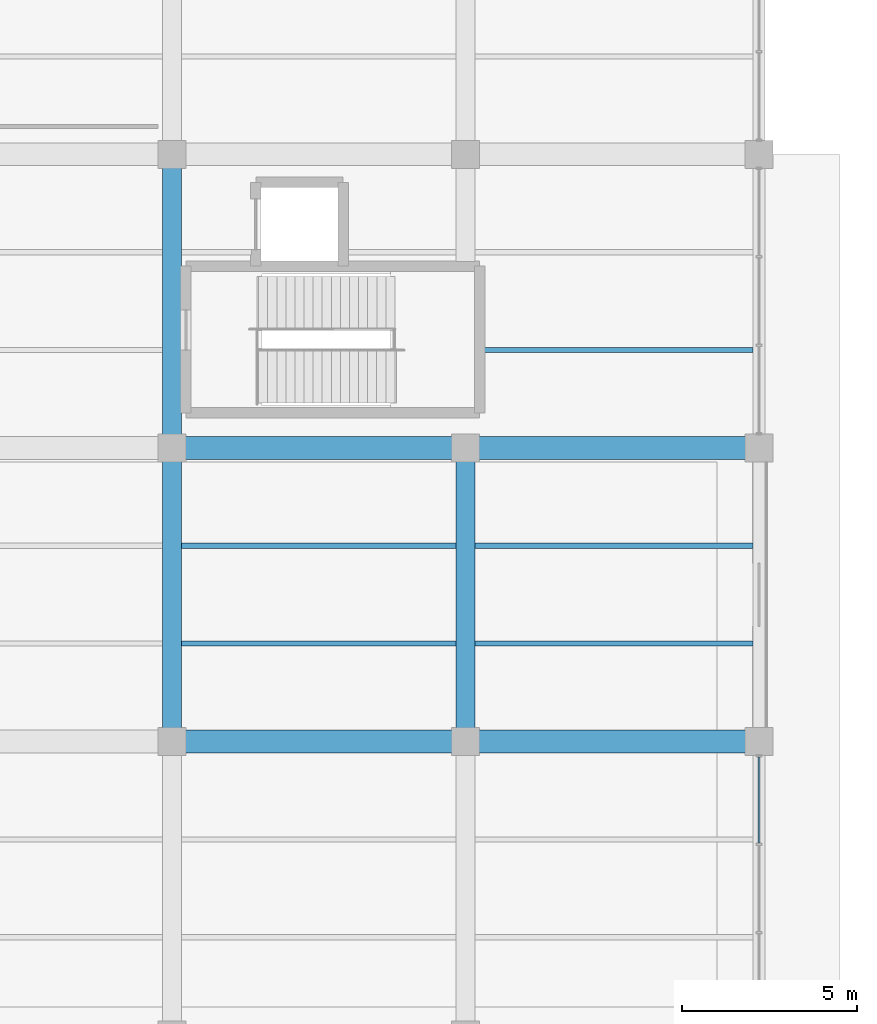
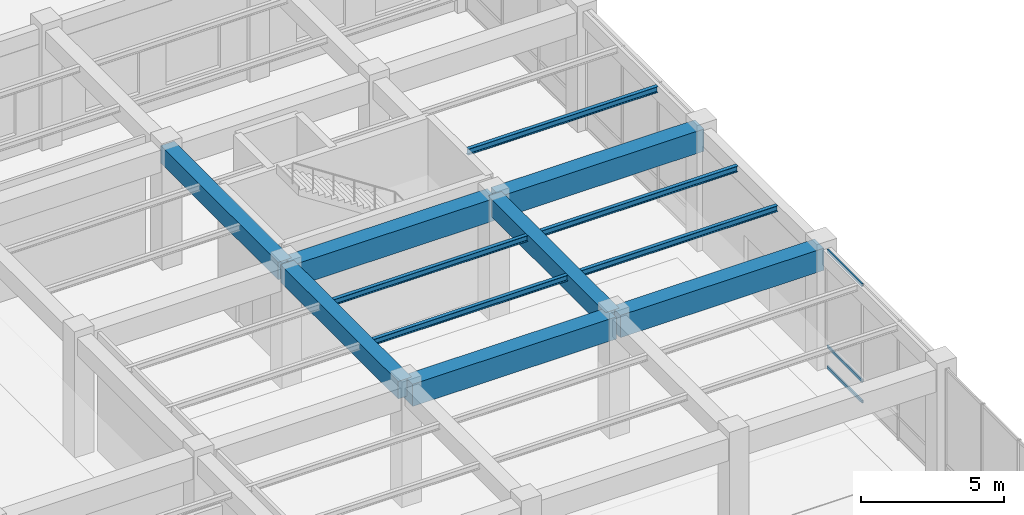
# One storey, part 88 of 157: 12 beams, 3 members, 1 element without a shape of its own.
"""IFC4 building model written with IfcOpenShell, lengths in metres."""

from ifc_helpers import new_model, si_unit, direction, frame, origin, origin_2d, place, context, subcontext, project, spatial, rectangle, hollow_rectangle, i_section, extrude, material, material_profile, profile_set, type_object, element, aggregate, save


model = new_model("IFC4")

# Units and contexts
model_context = context("Model", 3, precision=1e-05, world=origin(), true_north=direction((0.0, 1.0)))
body_context = subcontext(model_context, "Body", "Model", "MODEL_VIEW")
ifc_project = project(units=[si_unit("LENGTHUNIT", "METRE"), si_unit("AREAUNIT", "SQUARE_METRE"), si_unit("VOLUMEUNIT", "CUBIC_METRE"), si_unit("PLANEANGLEUNIT", "RADIAN"), si_unit("MASSUNIT", "GRAM", prefix="KILO"), si_unit("THERMODYNAMICTEMPERATUREUNIT", "KELVIN"), si_unit("POWERUNIT", "WATT")], contexts=[model_context])

# Site, building, storey
site_placement = place(None, origin())
site = spatial("IfcSite", under=ifc_project, at=site_placement, CompositionType="ELEMENT")
building_placement = place(site_placement, origin())
building = spatial("IfcBuilding", under=site, at=building_placement, Name="Darbajah Civic Hall", CompositionType="ELEMENT")
storey_placement = place(building_placement, origin())
storey = spatial("IfcBuildingStorey", under=building, at=storey_placement, Name="L00", CompositionType="ELEMENT", Elevation=0.0)

# Curtain wall, members
ifc_material_1 = material(Name="Anodised Bronze Aluminium and Low-E Glazing", Category="aluminium")
curtain_wall_type = type_object("IfcCurtainWallType", Name="Unitised Curtain Wall CW-17 7600x5100", PredefinedType="USERDEFINED", material=ifc_material_1)
curtain_wall_placement = place(storey_placement, origin())
curtain_wall = element("IfcCurtainWall", 1, at=curtain_wall_placement, inside=storey, type_object=curtain_wall_type, Name="L00 unitised curtain wall CW-V3-L00-S1-B1", ObjectType="UNITISED CURTAIN WALL", PredefinedType="USERDEFINED")
ifc_material_2 = material(Name="Anodised Bronze Aluminium", Category="aluminium")
ifc_material_profile_1 = material_profile(ifc_material_2, hollow_rectangle(XDim=0.06005859375, YDim=0.1201171875, WallThickness=0.003173828125, at=origin_2d()), Name="ALU TRANSOM 60x120")
ifc_profile_set_1 = profile_set([ifc_material_profile_1], Name="Anodised Bronze Aluminium")
member_type = type_object("IfcMemberType", Name="ALU TRANSOM 60x120", PredefinedType="USERDEFINED", material=ifc_profile_set_1)
member_1_placement = place(storey_placement, frame((178.199951171875, 13.90087890625, 0.06005859375), z_axis=(0.0, 1.0, 0.0), x_axis=(-1.0, 0.0, 0.0)))
member_1 = element("IfcMember", 2, at=member_1_placement, type_object=member_type, Name="CW-V3-L00-S1-B1 transom 3.1", ObjectType="TRANSOM", PredefinedType="USERDEFINED", context=body_context, shape_type="SweptSolid", body=[
    extrude(hollow_rectangle(XDim=0.06005859375, YDim=0.1201171875, WallThickness=0.003173828125, at=origin_2d()), origin(), (0.0, 0.0, 1.0), 2.462158203125),
])
member_2_placement = place(storey_placement, frame((178.199951171875, 13.90087890625, 0.949951171875), z_axis=(0.0, 1.0, 0.0), x_axis=(-1.0, 0.0, 0.0)))
member_2 = element("IfcMember", 3, at=member_2_placement, type_object=member_type, Name="CW-V3-L00-S1-B1 transom 3.2", ObjectType="TRANSOM", PredefinedType="USERDEFINED", context=body_context, shape_type="SweptSolid", body=[
    extrude(hollow_rectangle(XDim=0.06005859375, YDim=0.1201171875, WallThickness=0.003173828125, at=origin_2d()), origin(), (0.0, 0.0, 1.0), 2.462158203125),
])
member_3_placement = place(storey_placement, frame((178.199951171875, 13.90087890625, 5.0400390625), z_axis=(0.0, 1.0, 0.0), x_axis=(-1.0, 0.0, 0.0)))
member_3 = element("IfcMember", 4, at=member_3_placement, type_object=member_type, Name="CW-V3-L00-S1-B1 transom 3.3", ObjectType="TRANSOM", PredefinedType="USERDEFINED", context=body_context, shape_type="SweptSolid", body=[
    extrude(hollow_rectangle(XDim=0.06005859375, YDim=0.1201171875, WallThickness=0.003173828125, at=origin_2d()), origin(), (0.0, 0.0, 1.0), 2.462158203125),
])
aggregate(curtain_wall, [member_1, member_2, member_3])

# Beams
ifc_material_3 = material(Name="Concrete C45/55", Category="concrete")
ifc_material_profile_2 = material_profile(ifc_material_3, rectangle(XDim=0.550048828125, YDim=0.75, at=origin_2d()), Name="RC BEAM 550x750")
ifc_profile_set_2 = profile_set([ifc_material_profile_2], Name="Concrete C45/55")
beam_type_1 = type_object("IfcBeamType", Name="RC BEAM 550x750", PredefinedType="BEAM", material=ifc_profile_set_2)
beam_1_placement = place(storey_placement, frame((161.39990234375, 16.8798828125, 4.72509765625), z_axis=(0.0, 1.0, 0.0), x_axis=(-1.0, 0.0, 0.0)))
element("IfcBeam", 5, at=beam_1_placement, inside=storey, type_object=beam_type_1, Name="L00 beam BM-5575", PredefinedType="BEAM", context=body_context, shape_type="SweptSolid", body=[
    extrude(rectangle(XDim=0.550048828125, YDim=0.75, at=origin_2d()), origin(), (0.0, 0.0, 1.0), 8.240234375),
])
beam_2_placement = place(storey_placement, frame((161.39990234375, 25.280029296875, 4.72509765625), z_axis=(0.0, 1.0, 0.0), x_axis=(-1.0, 0.0, 0.0)))
element("IfcBeam", 6, at=beam_2_placement, inside=storey, type_object=beam_type_1, Name="L00 beam BM-5575", PredefinedType="BEAM", context=body_context, shape_type="SweptSolid", body=[
    extrude(rectangle(XDim=0.550048828125, YDim=0.75, at=origin_2d()), origin(), (0.0, 0.0, 1.0), 8.239990234375),
])
beam_3_placement = place(storey_placement, frame((169.800048828125, 16.8798828125, 4.72509765625), z_axis=(0.0, 1.0, 0.0), x_axis=(-1.0, 0.0, 0.0)))
element("IfcBeam", 7, at=beam_3_placement, inside=storey, type_object=beam_type_1, Name="L00 beam BM-5575", PredefinedType="BEAM", context=body_context, shape_type="SweptSolid", body=[
    extrude(rectangle(XDim=0.550048828125, YDim=0.75, at=origin_2d()), origin(), (0.0, 0.0, 1.0), 8.240234375),
])
ifc_material_4 = material(Name="Concrete C50/60", Category="concrete")
ifc_material_profile_3 = material_profile(ifc_material_4, rectangle(XDim=0.64990234375, YDim=0.949951171875, at=origin_2d()), Name="RC GIRDER 650x950")
ifc_profile_set_3 = profile_set([ifc_material_profile_3], Name="Concrete C50/60")
beam_type_2 = type_object("IfcBeamType", Name="RC GIRDER 650x950", PredefinedType="BEAM", material=ifc_profile_set_3)
beam_4_placement = place(storey_placement, frame((161.47998046875, 16.800048828125, 4.625), z_axis=(1.0, 0.0, 0.0), x_axis=(0.0, 1.0, 0.0)))
element("IfcBeam", 8, at=beam_4_placement, inside=storey, type_object=beam_type_2, Name="L00 beam BG-6595", PredefinedType="BEAM", context=body_context, shape_type="SweptSolid", body=[
    extrude(rectangle(XDim=0.64990234375, YDim=0.949951171875, at=origin_2d()), origin(), (0.0, 0.0, 1.0), 8.239990234375),
])
beam_5_placement = place(storey_placement, frame((169.8798828125, 16.800048828125, 4.625), z_axis=(1.0, 0.0, 0.0), x_axis=(0.0, 1.0, 0.0)))
element("IfcBeam", 9, at=beam_5_placement, inside=storey, type_object=beam_type_2, Name="L00 beam BG-6595", PredefinedType="BEAM", context=body_context, shape_type="SweptSolid", body=[
    extrude(rectangle(XDim=0.64990234375, YDim=0.949951171875, at=origin_2d()), origin(), (0.0, 0.0, 1.0), 8.240234375),
])
beam_6_placement = place(storey_placement, frame((161.47998046875, 25.199951171875, 4.625), z_axis=(1.0, 0.0, 0.0), x_axis=(0.0, 1.0, 0.0)))
element("IfcBeam", 10, at=beam_6_placement, inside=storey, type_object=beam_type_2, Name="L00 beam BG-6595", PredefinedType="BEAM", context=body_context, shape_type="SweptSolid", body=[
    extrude(rectangle(XDim=0.64990234375, YDim=0.949951171875, at=origin_2d()), origin(), (0.0, 0.0, 1.0), 8.239990234375),
])
beam_7_placement = place(storey_placement, frame((169.8798828125, 25.199951171875, 4.625), z_axis=(1.0, 0.0, 0.0), x_axis=(0.0, 1.0, 0.0)))
element("IfcBeam", 11, at=beam_7_placement, inside=storey, type_object=beam_type_2, Name="L00 beam BG-6595", PredefinedType="BEAM", context=body_context, shape_type="SweptSolid", body=[
    extrude(rectangle(XDim=0.64990234375, YDim=0.949951171875, at=origin_2d()), origin(), (0.0, 0.0, 1.0), 8.240234375),
])
ifc_material_5 = material(Name="Steel S355JR", Category="steel")
ifc_material_profile_4 = material_profile(ifc_material_5, i_section(OverallWidth=0.146484375, OverallDepth=0.256103515625, WebThickness=0.00634765625, FlangeThickness=0.010986328125, FilletRadius=0.007568359375, at=origin_2d()), Name="UB 254x146x37")
ifc_profile_set_4 = profile_set([ifc_material_profile_4], Name="Steel S355JR")
beam_type_3 = type_object("IfcBeamType", Name="UB 254x146x37", PredefinedType="JOIST", material=ifc_profile_set_4)
for number, where, z_axis, x_axis, name in (
    (12, (161.675048828125, 19.60009765625, 4.971923828125), (1.0, 0.0, 0.0), (0.0, 1.0, 0.0), "L00 beam SJ-254"),
    (13, (161.675048828125, 22.39990234375, 4.971923828125), (1.0, 0.0, 0.0), (0.0, 1.0, 0.0), "L00 beam SJ-254"),
):
    element("IfcBeam", number, at=place(storey_placement, frame(where, z_axis=z_axis, x_axis=x_axis)), inside=storey, type_object=beam_type_3, Name=name, PredefinedType="JOIST", context=body_context, shape_type="SweptSolid", body=[
        extrude(i_section(OverallWidth=0.146484375, OverallDepth=0.256103515625, WebThickness=0.00634765625, FlangeThickness=0.010986328125, FilletRadius=0.007568359375, at=origin_2d()), origin(), (0.0, 0.0, 1.0), 7.849853515625),
    ])
for number, where, z_axis, x_axis, name in (
    (14, (170.074951171875, 19.60009765625, 4.971923828125), (1.0, 0.0, 0.0), (0.0, 1.0, 0.0), "L00 beam SJ-254"),
    (15, (170.074951171875, 22.39990234375, 4.971923828125), (1.0, 0.0, 0.0), (0.0, 1.0, 0.0), "L00 beam SJ-254"),
):
    element("IfcBeam", number, at=place(storey_placement, frame(where, z_axis=z_axis, x_axis=x_axis)), inside=storey, type_object=beam_type_3, Name=name, PredefinedType="JOIST", context=body_context, shape_type="SweptSolid", body=[
        extrude(i_section(OverallWidth=0.146484375, OverallDepth=0.256103515625, WebThickness=0.00634765625, FlangeThickness=0.010986328125, FilletRadius=0.007568359375, at=origin_2d()), origin(), (0.0, 0.0, 1.0), 7.949951171875),
    ])
beam_8_placement = place(storey_placement, frame((170.340087890625, 28.0, 4.971923828125), z_axis=(1.0, 0.0, 0.0), x_axis=(0.0, 1.0, 0.0)))
element("IfcBeam", 16, at=beam_8_placement, inside=storey, type_object=beam_type_3, Name="L00 beam SJ-254", PredefinedType="JOIST", context=body_context, shape_type="SweptSolid", body=[
    extrude(i_section(OverallWidth=0.146484375, OverallDepth=0.256103515625, WebThickness=0.00634765625, FlangeThickness=0.010986328125, FilletRadius=0.007568359375, at=origin_2d()), origin(), (0.0, 0.0, 1.0), 7.684814453125),
])

save(model, "model.ifc")
